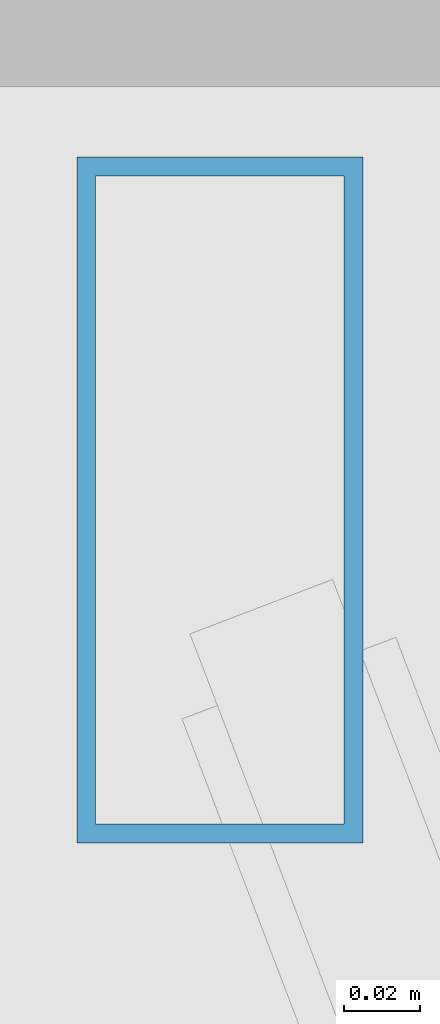
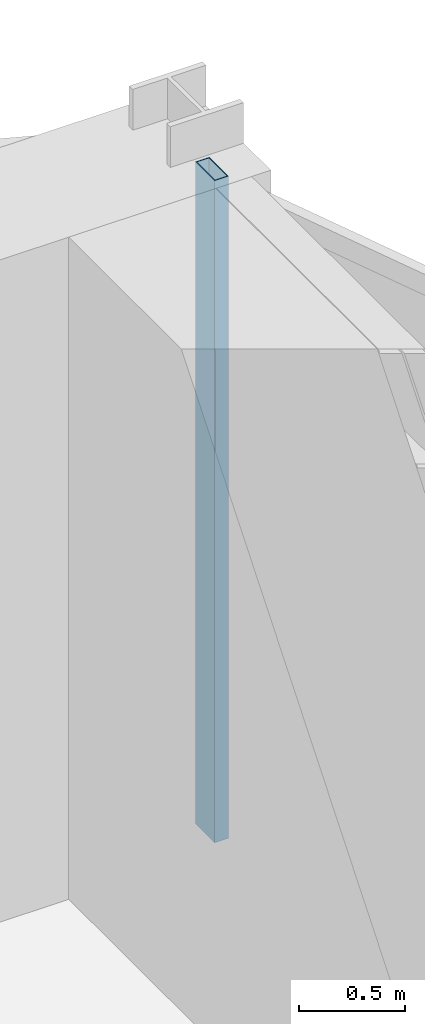
# One storey, part 18 of 26: 1 member, 1 element without a shape of its own.
"""IFC4 building model written with IfcOpenShell, lengths in metres."""

from ifc_helpers import new_model, si_unit, direction, frame, origin, origin_2d, place, context, subcontext, project, spatial, hollow_rectangle, extrude, material, layer, layer_set, material_profile, profile_set, type_object, element, aggregate, save


model = new_model("IFC4")

# Units and contexts
model_context = context("Model", 3, precision=1e-05, world=origin(), true_north=direction((0.0, 1.0)))
body_context = subcontext(model_context, "Body", "Model", "MODEL_VIEW")
ifc_project = project(units=[si_unit("LENGTHUNIT", "METRE"), si_unit("AREAUNIT", "SQUARE_METRE"), si_unit("VOLUMEUNIT", "CUBIC_METRE"), si_unit("PLANEANGLEUNIT", "RADIAN"), si_unit("MASSUNIT", "GRAM", prefix="KILO")], contexts=[model_context])

# Site, building, storey
site_placement = place(None, origin())
site = spatial("IfcSite", under=ifc_project, at=site_placement, CompositionType="ELEMENT")
building_placement = place(site_placement, origin())
building = spatial("IfcBuilding", under=site, at=building_placement, Name="Veymaron Broadcast Tower", CompositionType="ELEMENT")
storey_placement = place(building_placement, frame((0.0, 0.0, 153.300048828125)))
storey = spatial("IfcBuildingStorey", under=building, at=storey_placement, Name="L35", CompositionType="ELEMENT", Elevation=153.300048828125)

# Curtain wall, member
ifc_material_1 = material(Name="Anodised aluminium AA 6063-T6 and laminated low-E dark glass", Category="aluminium")
ifc_layer = layer(ifc_material_1, 0.179931640625)
ifc_layer_set = layer_set([ifc_layer], Name="Anodised aluminium AA 6063-T6 and laminated low-E dark glass")
curtain_wall_type = type_object("IfcCurtainWallType", Name="CW-SYS-03", PredefinedType="NOTDEFINED", material=ifc_layer_set)
curtain_wall_placement = place(storey_placement, origin())
curtain_wall = element("IfcCurtainWall", 1, at=curtain_wall_placement, inside=storey, type_object=curtain_wall_type, Name="L35 dark-glass curtain wall CW-L35-E3-1", PredefinedType="NOTDEFINED")
ifc_material_2 = material(Name="Anodised aluminium AA 6063-T6", Category="aluminium")
ifc_material_profile = material_profile(ifc_material_2, hollow_rectangle(XDim=0.074951171875, YDim=0.179931640625, WallThickness=0.0048828125, at=origin_2d()), Name="AL180X75X5")
ifc_profile_set = profile_set([ifc_material_profile], Name="Anodised aluminium AA 6063-T6")
member_type = type_object("IfcMemberType", Name="CW-MUL-02", PredefinedType="MULLION", material=ifc_profile_set)
member_placement = place(storey_placement, frame((54.5654296875, 31.697998046875, 0.0), z_axis=(0.0, 0.0, 1.0), x_axis=(1.0, 0.0, 0.0)))
member = element("IfcMember", 2, at=member_placement, type_object=member_type, Name="CW-L35-E3-1 mullion 2", PredefinedType="MULLION", context=body_context, shape_type="SweptSolid", body=[
    extrude(hollow_rectangle(XDim=0.074951171875, YDim=0.179931640625, WallThickness=0.0048828125, at=origin_2d()), origin(), (0.0, 0.0, 1.0), 3.81005859375),
])
aggregate(curtain_wall, [member])

save(model, "model.ifc")
